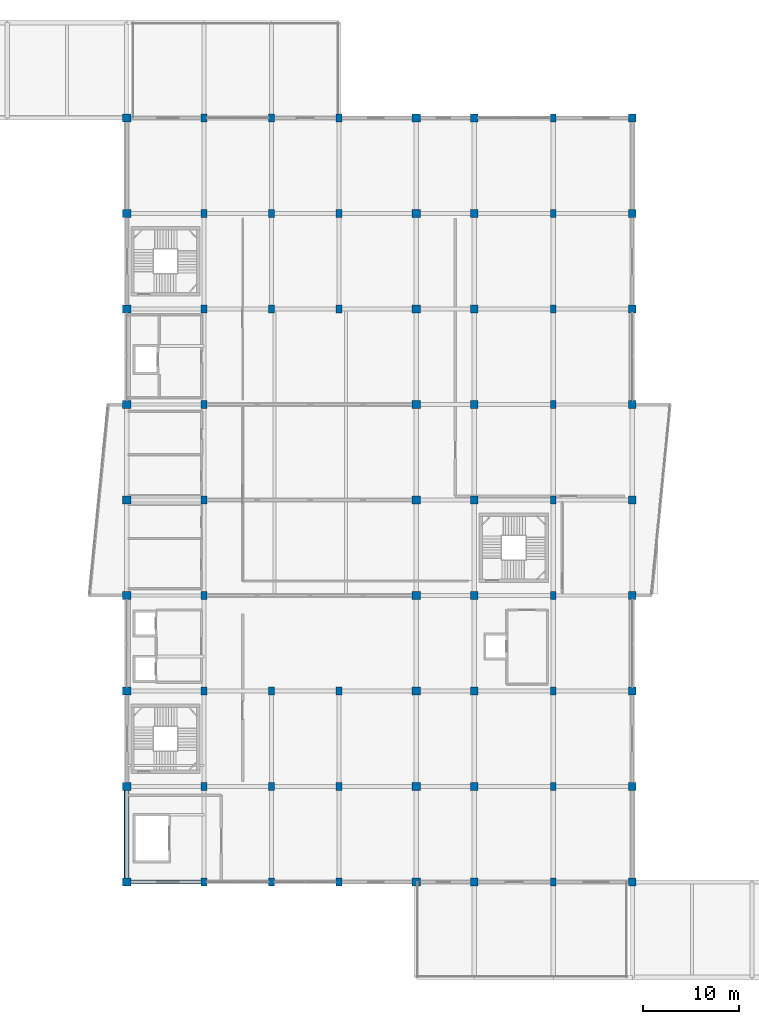
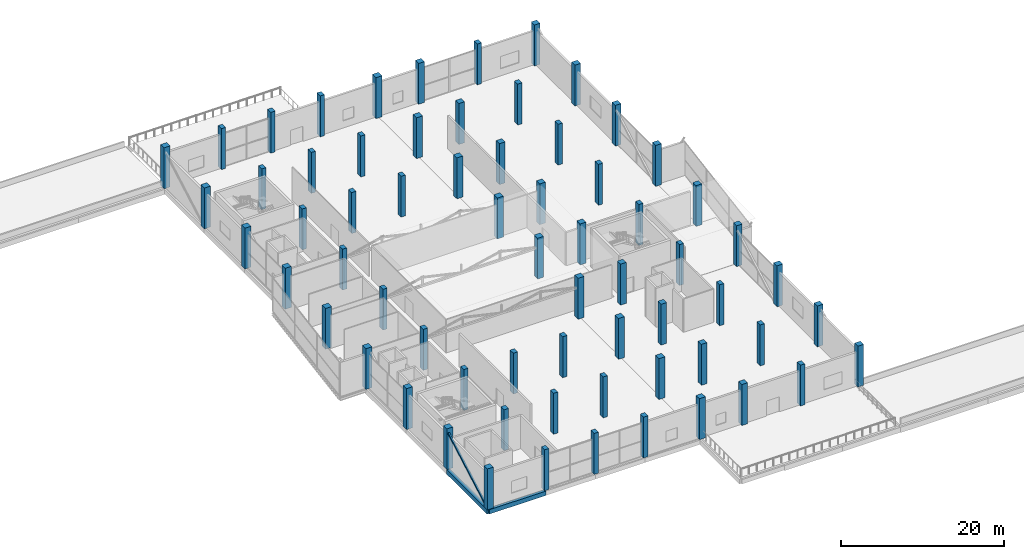
# One storey, part 1 of 58: 66 columns, 2 beams, 1 member.
"""IFC4 building model written with IfcOpenShell, lengths in metres."""

from ifc_helpers import new_model, si_unit, direction, frame, origin, origin_2d, place, context, subcontext, project, spatial, rectangle, hollow_rectangle, extrude, material, material_profile, profile_set, type_object, element, save


model = new_model("IFC4")

# Units and contexts
model_context = context("Model", 3, precision=1e-05, world=origin(), true_north=direction((0.0, 1.0)))
body_context = subcontext(model_context, "Body", "Model", "MODEL_VIEW")
ifc_project = project(units=[si_unit("LENGTHUNIT", "METRE"), si_unit("AREAUNIT", "SQUARE_METRE"), si_unit("VOLUMEUNIT", "CUBIC_METRE"), si_unit("PLANEANGLEUNIT", "RADIAN"), si_unit("MASSUNIT", "GRAM", prefix="KILO")], contexts=[model_context])

# Site, building, storey
site_placement = place(None, origin())
site = spatial("IfcSite", under=ifc_project, at=site_placement, CompositionType="ELEMENT")
building_placement = place(site_placement, origin())
building = spatial("IfcBuilding", under=site, at=building_placement, Name="Sillaruma Civic Art Gallery", CompositionType="ELEMENT")
storey_placement = place(building_placement, frame((0.0, 0.0, 22.43994140625)))
storey = spatial("IfcBuildingStorey", under=building, at=storey_placement, Name="L04", CompositionType="ELEMENT", Elevation=22.43994140625)

# Columns
ifc_material_1 = material(Name="Concrete H40 (40 MPa)", Category="concrete")
ifc_material_profile_1 = material_profile(ifc_material_1, rectangle(XDim=0.60009765625, YDim=0.800048828125, at=origin_2d()), Name="RC800x600")
ifc_profile_set_1 = profile_set([ifc_material_profile_1], Name="Concrete H40 (40 MPa)")
column_type_1 = type_object("IfcColumnType", Name="COL-COLUMN-RC800x600", PredefinedType="COLUMN", material=ifc_profile_set_1)
for number, where, z_axis, x_axis, name in (
    (1, (70.0, 19.800048828125, 0.0), (0.0, 0.0, 1.0), (1.0, 0.0, 0.0), "Column C-10 (L04:G3)"),
    (2, (70.0, 29.699951171875, 0.0), (0.0, 0.0, 1.0), (1.0, 0.0, 0.0), "Column C-10 (L04:G4)"),
    (3, (70.0, 39.60009765625, 0.0), (0.0, 0.0, 1.0), (1.0, 0.0, 0.0), "Column C-10 (L04:G5)"),
    (4, (70.0, 49.5, 0.0), (0.0, 0.0, 1.0), (1.0, 0.0, 0.0), "Column C-10 (L04:G6)"),
    (5, (70.0, 59.39990234375, 0.0), (0.0, 0.0, 1.0), (1.0, 0.0, 0.0), "Column C-10 (L04:G7)"),
    (6, (70.0, 69.300048828125, 0.0), (0.0, 0.0, 1.0), (1.0, 0.0, 0.0), "Column C-10 (L04:G8)"),
    (7, (70.0, 79.199951171875, 0.0), (0.0, 0.0, 1.0), (1.0, 0.0, 0.0), "Column C-10 (L04:G9)"),
    (8, (70.0, 89.10009765625, 0.0), (0.0, 0.0, 1.0), (1.0, 0.0, 0.0), "Column C-10 (L04:G10)"),
    (9, (70.0, 99.0, 0.0), (0.0, 0.0, 1.0), (1.0, 0.0, 0.0), "Column C-10 (L04:G11)"),
    (10, (77.0, 19.800048828125, 0.0), (0.0, 0.0, 1.0), (1.0, 0.0, 0.0), "Column C-10 (L04:H3)"),
    (11, (77.0, 29.699951171875, 0.0), (0.0, 0.0, 1.0), (1.0, 0.0, 0.0), "Column C-10 (L04:H4)"),
    (12, (77.0, 39.60009765625, 0.0), (0.0, 0.0, 1.0), (1.0, 0.0, 0.0), "Column C-10 (L04:H5)"),
    (13, (77.0, 79.199951171875, 0.0), (0.0, 0.0, 1.0), (1.0, 0.0, 0.0), "Column C-10 (L04:H9)"),
    (14, (77.0, 89.10009765625, 0.0), (0.0, 0.0, 1.0), (1.0, 0.0, 0.0), "Column C-10 (L04:H10)"),
    (15, (77.0, 99.0, 0.0), (0.0, 0.0, 1.0), (1.0, 0.0, 0.0), "Column C-10 (L04:H11)"),
    (16, (84.0, 19.800048828125, 0.0), (0.0, 0.0, 1.0), (1.0, 0.0, 0.0), "Column C-10 (L04:J3)"),
    (17, (84.0, 29.699951171875, 0.0), (0.0, 0.0, 1.0), (1.0, 0.0, 0.0), "Column C-10 (L04:J4)"),
    (18, (84.0, 39.60009765625, 0.0), (0.0, 0.0, 1.0), (1.0, 0.0, 0.0), "Column C-10 (L04:J5)"),
    (19, (84.0, 79.199951171875, 0.0), (0.0, 0.0, 1.0), (1.0, 0.0, 0.0), "Column C-10 (L04:J9)"),
    (20, (84.0, 89.10009765625, 0.0), (0.0, 0.0, 1.0), (1.0, 0.0, 0.0), "Column C-10 (L04:J10)"),
    (21, (84.0, 99.0, 0.0), (0.0, 0.0, 1.0), (1.0, 0.0, 0.0), "Column C-10 (L04:J11)"),
    (22, (106.199951171875, 19.800048828125, 0.0), (0.0, 0.0, 1.0), (1.0, 0.0, 0.0), "Column C-10 (L04:M3)"),
    (23, (106.199951171875, 29.699951171875, 0.0), (0.0, 0.0, 1.0), (1.0, 0.0, 0.0), "Column C-10 (L04:M4)"),
    (24, (106.199951171875, 39.60009765625, 0.0), (0.0, 0.0, 1.0), (1.0, 0.0, 0.0), "Column C-10 (L04:M5)"),
    (25, (106.199951171875, 49.5, 0.0), (0.0, 0.0, 1.0), (1.0, 0.0, 0.0), "Column C-10 (L04:M6)"),
    (26, (106.199951171875, 59.39990234375, 0.0), (0.0, 0.0, 1.0), (1.0, 0.0, 0.0), "Column C-10 (L04:M7)"),
    (27, (106.199951171875, 69.300048828125, 0.0), (0.0, 0.0, 1.0), (1.0, 0.0, 0.0), "Column C-10 (L04:M8)"),
    (28, (106.199951171875, 79.199951171875, 0.0), (0.0, 0.0, 1.0), (1.0, 0.0, 0.0), "Column C-10 (L04:M9)"),
    (29, (106.199951171875, 89.10009765625, 0.0), (0.0, 0.0, 1.0), (1.0, 0.0, 0.0), "Column C-10 (L04:M10)"),
    (30, (106.199951171875, 99.0, 0.0), (0.0, 0.0, 1.0), (1.0, 0.0, 0.0), "Column C-10 (L04:M11)"),
):
    element("IfcColumn", number, at=place(storey_placement, frame(where, z_axis=z_axis, x_axis=x_axis)), inside=storey, type_object=column_type_1, Name=name, PredefinedType="COLUMN", context=body_context, shape_type="SweptSolid", body=[
        extrude(rectangle(XDim=0.60009765625, YDim=0.800048828125, at=origin_2d()), origin(), (0.0, 0.0, 1.0), 6.1201171875),
    ])
ifc_material_profile_2 = material_profile(ifc_material_1, rectangle(XDim=0.800048828125, YDim=0.800048828125, at=origin_2d()), Name="RC800x800")
ifc_profile_set_2 = profile_set([ifc_material_profile_2], Name="Concrete H40 (40 MPa)")
column_type_2 = type_object("IfcColumnType", Name="COL-COLUMN-RC800x800", PredefinedType="COLUMN", material=ifc_profile_set_2)
for number, where, z_axis, x_axis, name in (
    (31, (98.0, 19.800048828125, 0.0), (0.0, 0.0, 1.0), (1.0, 0.0, 0.0), "Column C-04 (L04:L3)"),
    (32, (98.0, 29.699951171875, 0.0), (0.0, 0.0, 1.0), (1.0, 0.0, 0.0), "Column C-04 (L04:L4)"),
    (33, (98.0, 39.60009765625, 0.0), (0.0, 0.0, 1.0), (1.0, 0.0, 0.0), "Column C-04 (L04:L5)"),
    (34, (98.0, 49.5, 0.0), (0.0, 0.0, 1.0), (1.0, 0.0, 0.0), "Column C-04 (L04:L6)"),
    (35, (98.0, 59.39990234375, 0.0), (0.0, 0.0, 1.0), (1.0, 0.0, 0.0), "Column C-04 (L04:L7)"),
    (36, (98.0, 69.300048828125, 0.0), (0.0, 0.0, 1.0), (1.0, 0.0, 0.0), "Column C-04 (L04:L8)"),
    (37, (98.0, 79.199951171875, 0.0), (0.0, 0.0, 1.0), (1.0, 0.0, 0.0), "Column C-04 (L04:L9)"),
    (38, (98.0, 89.10009765625, 0.0), (0.0, 0.0, 1.0), (1.0, 0.0, 0.0), "Column C-04 (L04:L10)"),
    (39, (98.0, 99.0, 0.0), (0.0, 0.0, 1.0), (1.0, 0.0, 0.0), "Column C-04 (L04:L11)"),
    (40, (114.39990234375, 19.800048828125, 0.0), (0.0, 0.0, 1.0), (1.0, 0.0, 0.0), "Column C-04 (L04:N3)"),
    (41, (114.39990234375, 29.699951171875, 0.0), (0.0, 0.0, 1.0), (1.0, 0.0, 0.0), "Column C-04 (L04:N4)"),
    (42, (114.39990234375, 39.60009765625, 0.0), (0.0, 0.0, 1.0), (1.0, 0.0, 0.0), "Column C-04 (L04:N5)"),
    (43, (114.39990234375, 49.5, 0.0), (0.0, 0.0, 1.0), (1.0, 0.0, 0.0), "Column C-04 (L04:N6)"),
    (44, (114.39990234375, 59.39990234375, 0.0), (0.0, 0.0, 1.0), (1.0, 0.0, 0.0), "Column C-04 (L04:N7)"),
    (45, (114.39990234375, 69.300048828125, 0.0), (0.0, 0.0, 1.0), (1.0, 0.0, 0.0), "Column C-04 (L04:N8)"),
    (46, (114.39990234375, 79.199951171875, 0.0), (0.0, 0.0, 1.0), (1.0, 0.0, 0.0), "Column C-04 (L04:N9)"),
    (47, (114.39990234375, 89.10009765625, 0.0), (0.0, 0.0, 1.0), (1.0, 0.0, 0.0), "Column C-04 (L04:N10)"),
    (48, (114.39990234375, 99.0, 0.0), (0.0, 0.0, 1.0), (1.0, 0.0, 0.0), "Column C-04 (L04:N11)"),
):
    element("IfcColumn", number, at=place(storey_placement, frame(where, z_axis=z_axis, x_axis=x_axis)), inside=storey, type_object=column_type_2, Name=name, PredefinedType="COLUMN", context=body_context, shape_type="SweptSolid", body=[
        extrude(rectangle(XDim=0.800048828125, YDim=0.800048828125, at=origin_2d()), origin(), (0.0, 0.0, 1.0), 6.1201171875),
    ])
ifc_material_profile_3 = material_profile(ifc_material_1, rectangle(XDim=0.85009765625, YDim=0.85009765625, at=origin_2d()), Name="RC850x850")
ifc_profile_set_3 = profile_set([ifc_material_profile_3], Name="Concrete H40 (40 MPa)")
column_type_3 = type_object("IfcColumnType", Name="COL-COLUMN-RC850x850", PredefinedType="COLUMN", material=ifc_profile_set_3)
for number, where, z_axis, x_axis, name in (
    (49, (62.0, 19.800048828125, 0.0), (0.0, 0.0, 1.0), (1.0, 0.0, 0.0), "Column C-03 (L04:F3)"),
    (50, (62.0, 29.699951171875, 0.0), (0.0, 0.0, 1.0), (1.0, 0.0, 0.0), "Column C-03 (L04:F4)"),
    (51, (62.0, 39.60009765625, 0.0), (0.0, 0.0, 1.0), (1.0, 0.0, 0.0), "Column C-03 (L04:F5)"),
    (52, (62.0, 49.5, 0.0), (0.0, 0.0, 1.0), (1.0, 0.0, 0.0), "Column C-03 (L04:F6)"),
    (53, (62.0, 59.39990234375, 0.0), (0.0, 0.0, 1.0), (1.0, 0.0, 0.0), "Column C-03 (L04:F7)"),
    (54, (62.0, 69.300048828125, 0.0), (0.0, 0.0, 1.0), (1.0, 0.0, 0.0), "Column C-03 (L04:F8)"),
    (55, (62.0, 79.199951171875, 0.0), (0.0, 0.0, 1.0), (1.0, 0.0, 0.0), "Column C-03 (L04:F9)"),
    (56, (62.0, 89.10009765625, 0.0), (0.0, 0.0, 1.0), (1.0, 0.0, 0.0), "Column C-03 (L04:F10)"),
    (57, (62.0, 99.0, 0.0), (0.0, 0.0, 1.0), (1.0, 0.0, 0.0), "Column C-03 (L04:F11)"),
    (58, (92.0, 19.800048828125, 0.0), (0.0, 0.0, 1.0), (1.0, 0.0, 0.0), "Column C-03 (L04:K3)"),
    (59, (92.0, 29.699951171875, 0.0), (0.0, 0.0, 1.0), (1.0, 0.0, 0.0), "Column C-03 (L04:K4)"),
    (60, (92.0, 39.60009765625, 0.0), (0.0, 0.0, 1.0), (1.0, 0.0, 0.0), "Column C-03 (L04:K5)"),
    (61, (92.0, 49.5, 0.0), (0.0, 0.0, 1.0), (1.0, 0.0, 0.0), "Column C-03 (L04:K6)"),
    (62, (92.0, 59.39990234375, 0.0), (0.0, 0.0, 1.0), (1.0, 0.0, 0.0), "Column C-03 (L04:K7)"),
    (63, (92.0, 69.300048828125, 0.0), (0.0, 0.0, 1.0), (1.0, 0.0, 0.0), "Column C-03 (L04:K8)"),
    (64, (92.0, 79.199951171875, 0.0), (0.0, 0.0, 1.0), (1.0, 0.0, 0.0), "Column C-03 (L04:K9)"),
    (65, (92.0, 89.10009765625, 0.0), (0.0, 0.0, 1.0), (1.0, 0.0, 0.0), "Column C-03 (L04:K10)"),
    (66, (92.0, 99.0, 0.0), (0.0, 0.0, 1.0), (1.0, 0.0, 0.0), "Column C-03 (L04:K11)"),
):
    element("IfcColumn", number, at=place(storey_placement, frame(where, z_axis=z_axis, x_axis=x_axis)), inside=storey, type_object=column_type_3, Name=name, PredefinedType="COLUMN", context=body_context, shape_type="SweptSolid", body=[
        extrude(rectangle(XDim=0.85009765625, YDim=0.85009765625, at=origin_2d()), origin(), (0.0, 0.0, 1.0), 6.1201171875),
    ])

# Beams
ifc_material_2 = material(Name="Concrete H35 (35 MPa)", Category="concrete")
ifc_material_profile_4 = material_profile(ifc_material_2, rectangle(XDim=0.39990234375, YDim=0.64990234375, at=origin_2d()), Name="RCB400x650")
ifc_profile_set_4 = profile_set([ifc_material_profile_4], Name="Concrete H35 (35 MPa)")
beam_type_1 = type_object("IfcBeamType", Name="BM-SPANDREL-RCB400x650", PredefinedType="SPANDREL", material=ifc_profile_set_4)
beam_1_placement = place(storey_placement, frame((62.0, 19.800048828125, -0.5849609375), z_axis=(1.0, 0.0, 0.0), x_axis=(0.0, 1.0, 0.0)))
element("IfcBeam", 67, at=beam_1_placement, inside=storey, type_object=beam_type_1, Name="Beam BS-02 (L03:3:F-G)", PredefinedType="SPANDREL", context=body_context, shape_type="SweptSolid", body=[
    extrude(rectangle(XDim=0.39990234375, YDim=0.64990234375, at=origin_2d()), origin(), (0.0, 0.0, 1.0), 8.0),
])
ifc_material_profile_5 = material_profile(ifc_material_2, rectangle(XDim=0.449951171875, YDim=0.699951171875, at=origin_2d()), Name="RCB450x700")
ifc_profile_set_5 = profile_set([ifc_material_profile_5], Name="Concrete H35 (35 MPa)")
beam_type_2 = type_object("IfcBeamType", Name="BM-SPANDREL-RCB450x700", PredefinedType="SPANDREL", material=ifc_profile_set_5)
beam_2_placement = place(storey_placement, frame((62.0, 19.800048828125, -0.60986328125), z_axis=(0.0, 1.0, 0.0), x_axis=(-1.0, 0.0, 0.0)))
element("IfcBeam", 68, at=beam_2_placement, inside=storey, type_object=beam_type_2, Name="Beam BS-03 (L03:F:3-4)", PredefinedType="SPANDREL", context=body_context, shape_type="SweptSolid", body=[
    extrude(rectangle(XDim=0.449951171875, YDim=0.699951171875, at=origin_2d()), origin(), (0.0, 0.0, 1.0), 9.89990234375),
])

# Member
ifc_material_3 = material(Name="Structural Steel ASTM A500 Gr.C", Category="steel")
ifc_material_profile_6 = material_profile(ifc_material_3, hollow_rectangle(XDim=0.25, YDim=0.25, WallThickness=0.012451171875, InnerFilletRadius=0.012451171875, OuterFilletRadius=0.02490234375, at=origin_2d()), Name="HSS250x250x12.5")
ifc_profile_set_6 = profile_set([ifc_material_profile_6], Name="Structural Steel ASTM A500 Gr.C")
member_type = type_object("IfcMemberType", Name="MEM-MEGA-BRACE", PredefinedType="BRACE", material=ifc_profile_set_6)
member_placement = place(storey_placement, frame((61.85009765625, 19.97998046875, 0.10009765625), z_axis=(0.0, 0.87065287391, 0.491897929607), x_axis=(-1.0, 0.0, 0.0)))
element("IfcMember", 69, at=member_placement, inside=storey, type_object=member_type, Name="Exterior Expressed Gallery Seismic Diagonal Brace (L04-WS)", PredefinedType="BRACE", context=body_context, shape_type="SweptSolid", body=[
    extrude(hollow_rectangle(XDim=0.25, YDim=0.25, WallThickness=0.012451171875, InnerFilletRadius=0.012451171875, OuterFilletRadius=0.02490234375, at=origin_2d()), origin(), (0.0, 0.0, 1.0), 10.957275390625),
])

save(model, "model.ifc")
